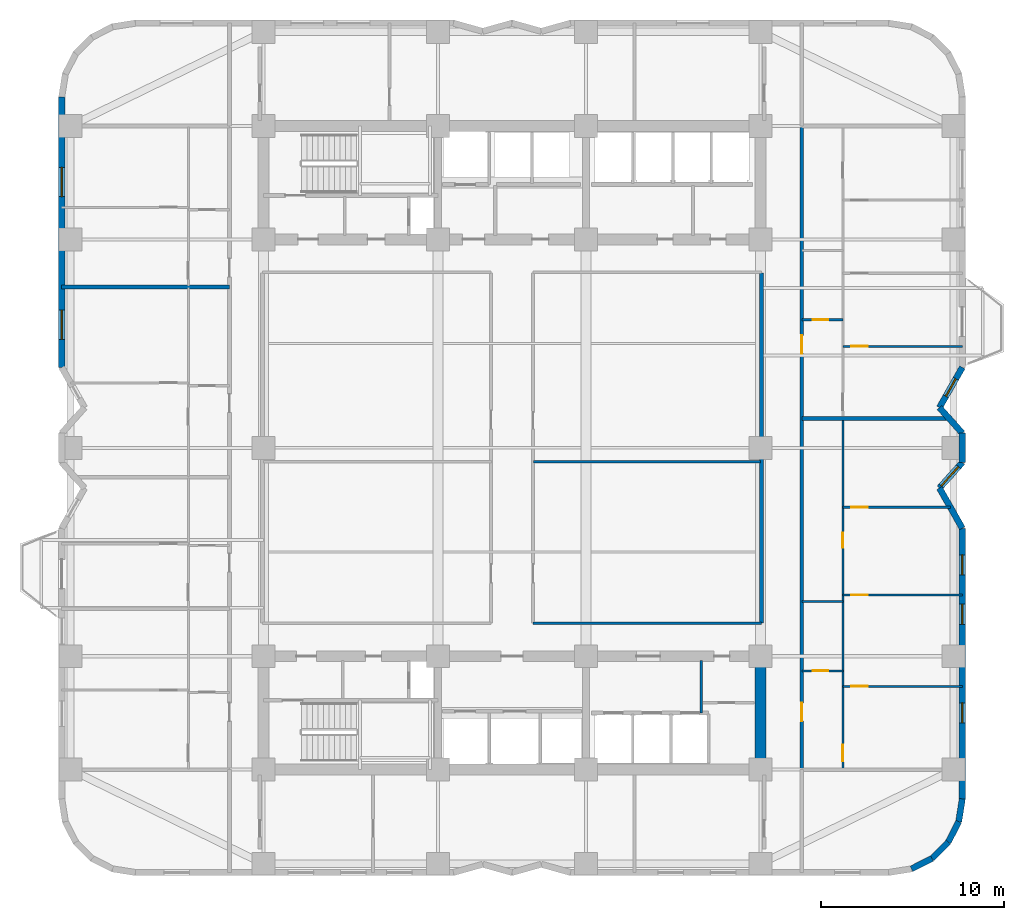
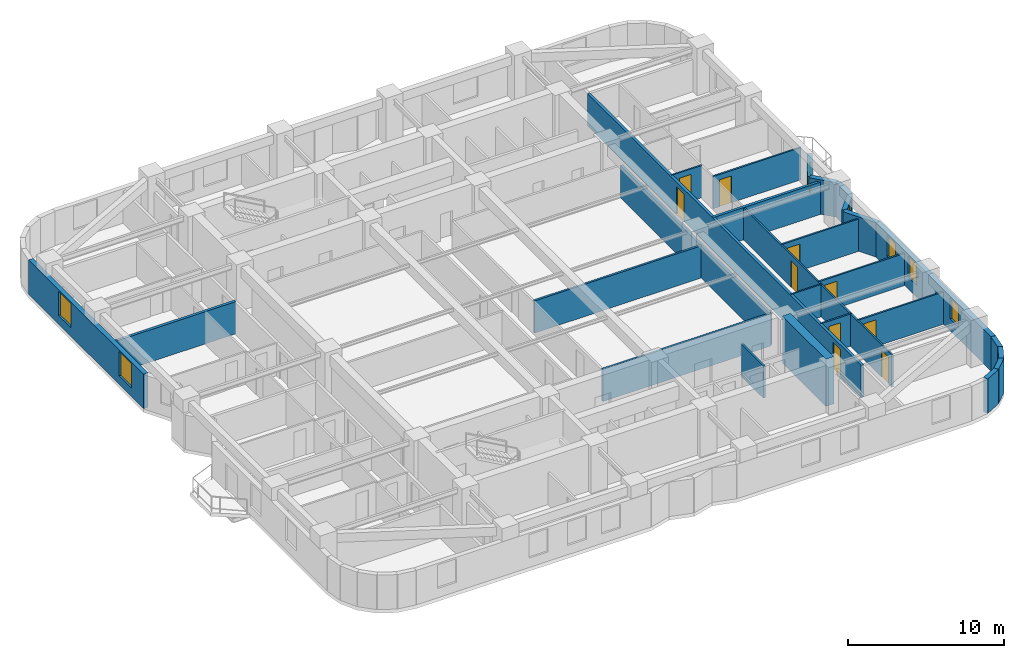
# One storey, part 5 of 9: 27 walls, 10 doors, 7 windows, 17 openings.
"""IFC4 building model written with IfcOpenShell, lengths in metres."""

from ifc_helpers import new_model, si_unit, direction, frame, frame_2d, origin, place, context, subcontext, project, spatial, rectangle, extrude, material, layer, layer_set, type_object, element, fill, save


model = new_model("IFC4")

# Units and contexts
model_context = context("Model", 3, precision=1e-05, world=origin(), true_north=direction((0.0, 1.0)))
body_context = subcontext(model_context, "Body", "Model", "MODEL_VIEW")
ifc_project = project(units=[si_unit("LENGTHUNIT", "METRE"), si_unit("AREAUNIT", "SQUARE_METRE"), si_unit("VOLUMEUNIT", "CUBIC_METRE"), si_unit("PLANEANGLEUNIT", "RADIAN"), si_unit("MASSUNIT", "GRAM", prefix="KILO")], contexts=[model_context])

# Site, building, storey
site_placement = place(None, origin())
site = spatial("IfcSite", under=ifc_project, at=site_placement, CompositionType="ELEMENT")
building_placement = place(site_placement, origin())
building = spatial("IfcBuilding", under=site, at=building_placement, Name="Svetorya Sky Lyceum", CompositionType="ELEMENT")
storey_placement = place(building_placement, frame((0.0, 0.0, 51.0)))
storey = spatial("IfcBuildingStorey", under=building, at=storey_placement, Name="L12", CompositionType="ELEMENT", Elevation=51.0)

# Walls
ifc_material_1 = material(Name="Concrete C60/75", Category="concrete")
ifc_layer_1 = layer(ifc_material_1, 0.60009765625)
ifc_layer_set_1 = layer_set([ifc_layer_1], Name="Concrete C60/75")
wall_type_1 = type_object("IfcWallType", Name="WL-CORE-600", PredefinedType="SHEAR", material=ifc_layer_set_1)
wall_1_placement = place(storey_placement, frame((52.800048828125, 10.89990234375, 0.0), z_axis=(0.0, 0.0, 1.0), x_axis=(0.0, 1.0, 0.0)))
element("IfcWall", 1, at=wall_1_placement, inside=storey, type_object=wall_type_1, Name="L12 SC East Core Shear Wall", PredefinedType="SHEAR", context=body_context, shape_type="SweptSolid", body=[
    extrude(rectangle(XDim=5.60009765625, YDim=0.60009765625, at=frame_2d((2.800048828125, 0.0))), origin(), (0.0, 0.0, 1.0), 3.699951171875),
])
ifc_material_2 = material(Name="Putilovo limestone rainscreen on autoclaved cellular masonry", Category="masonry")
ifc_layer_2 = layer(ifc_material_2, 0.340087890625)
ifc_layer_set_2 = layer_set([ifc_layer_2], Name="Putilovo limestone rainscreen on autoclaved cellular masonry")
wall_type_2 = type_object("IfcWallType", Name="WL-EXT-340", PredefinedType="SOLIDWALL", material=ifc_layer_set_2)
for number, where, z_axis, x_axis, name in (
    (2, (61.04541015625, 5.167236328125, 0.0), (0.0, 0.0, 1.0), (0.890953769915, 0.454094020963, 0.0), "L12 Limestone Exterior Wall 13M"),
    (3, (62.168701171875, 5.73974609375, 0.0), (0.0, 0.0, 1.0), (0.707203598708, 0.707009950407, 0.0), "L12 Limestone Exterior Wall 14M"),
):
    element("IfcWall", number, at=place(storey_placement, frame(where, z_axis=z_axis, x_axis=x_axis)), inside=storey, type_object=wall_type_2, Name=name, PredefinedType="SOLIDWALL", context=body_context, shape_type="SweptSolid", body=[
        extrude(rectangle(XDim=1.2607421875, YDim=0.340087890625, at=frame_2d((0.63037109375, 0.0))), origin(), (0.0, 0.0, 1.0), 2.699951171875),
    ])
for number, where, z_axis, x_axis, name in (
    (4, (63.060302734375, 6.631103515625, 0.0), (0.0, 0.0, 1.0), (0.454015689056, 0.890993689142, 0.0), "L12 Limestone Exterior Wall 15M"),
    (5, (63.6328125, 7.754638671875, 0.0), (0.0, 0.0, 1.0), (0.15644975923, 0.987685918112, 0.0), "L12 Limestone Exterior Wall 16M"),
):
    element("IfcWall", number, at=place(storey_placement, frame(where, z_axis=z_axis, x_axis=x_axis)), inside=storey, type_object=wall_type_2, Name=name, PredefinedType="SOLIDWALL", context=body_context, shape_type="SweptSolid", body=[
        extrude(rectangle(XDim=1.260986328125, YDim=0.340087890625, at=frame_2d((0.63037109375, 0.0))), origin(), (0.0, 0.0, 1.0), 2.699951171875),
    ])

# Wall, openings, windows
wall_2_placement = place(storey_placement, frame((63.830078125, 9.0, 0.0), z_axis=(0.0, 0.0, 1.0), x_axis=(0.0, 1.0, 0.0)))
wall_2 = element("IfcWall", 6, at=wall_2_placement, inside=storey, type_object=wall_type_2, Name="L12 Limestone Exterior Wall 17M", PredefinedType="SOLIDWALL", context=body_context, shape_type="SweptSolid", body=[
    extrude(rectangle(XDim=14.800048828125, YDim=0.340087890625, at=frame_2d((7.39990234375, 0.0))), origin(), (0.0, 0.0, 1.0), 2.699951171875),
])
opening_1_placement = place(wall_2_placement, frame((4.14990234375, 0.0, 0.929931640625)))
opening_1 = element("IfcOpeningElement", 7, at=opening_1_placement, cuts=wall_2, Name="Opening W-R3", PredefinedType="OPENING", context=body_context, shape_type="SweptSolid", body=[
    extrude(rectangle(XDim=1.10009765625, YDim=1.64990234375, at=frame_2d((0.550048828125, 0.824951171875))), frame((0.0, 0.179931640625, 0.0), z_axis=(0.0, -1.0, 0.0), x_axis=(1.0, 0.0, 0.0)), (0.0, 0.0, 1.0), 0.360107421875),
])
opening_2_placement = place(wall_2_placement, frame((9.550048828125, 0.0, 0.929931640625)))
opening_2 = element("IfcOpeningElement", 8, at=opening_2_placement, cuts=wall_2, Name="Opening W-R3", PredefinedType="OPENING", context=body_context, shape_type="SweptSolid", body=[
    extrude(rectangle(XDim=1.10009765625, YDim=1.64990234375, at=frame_2d((0.550048828125, 0.824951171875))), frame((0.0, 0.179931640625, 0.0), z_axis=(0.0, -1.0, 0.0), x_axis=(1.0, 0.0, 0.0)), (0.0, 0.0, 1.0), 0.360107421875),
])
opening_3_placement = place(wall_2_placement, frame((12.25, 0.0, 0.929931640625)))
opening_3 = element("IfcOpeningElement", 9, at=opening_3_placement, cuts=wall_2, Name="Opening W-R3", PredefinedType="OPENING", context=body_context, shape_type="SweptSolid", body=[
    extrude(rectangle(XDim=1.10009765625, YDim=1.64990234375, at=frame_2d((0.550048828125, 0.824951171875))), frame((0.0, 0.179931640625, 0.0), z_axis=(0.0, -1.0, 0.0), x_axis=(1.0, 0.0, 0.0)), (0.0, 0.0, 1.0), 0.360107421875),
])
ifc_material_3 = material(Name="Thermally broken aluminium frame with triple low-E glazing", Category="aluminium")
window_type_1 = type_object("IfcWindowType", Name="WN-RES-110", PartitioningType="SINGLE_PANEL", PredefinedType="WINDOW", material=ifc_material_3)
window_1_placement = place(opening_1_placement, origin())
window_1 = element("IfcWindow", 10, at=window_1_placement, inside=storey, type_object=window_type_1, Name="L12 Facade Window W-R3.17M.1", OverallHeight=1.64990234375, OverallWidth=1.10009765625, PartitioningType="SINGLE_PANEL", PredefinedType="WINDOW", context=body_context, shape_type="SweptSolid", body=[
    extrude(rectangle(XDim=1.10009765625, YDim=1.64990234375, at=frame_2d((0.550048828125, 0.824951171875))), frame((0.0, 0.030029296875, 0.0), z_axis=(0.0, -1.0, 0.0), x_axis=(1.0, 0.0, 0.0)), (0.0, 0.0, 1.0), 0.06005859375),
])
fill(opening_1, window_1)
window_2_placement = place(opening_2_placement, origin())
window_2 = element("IfcWindow", 11, at=window_2_placement, inside=storey, type_object=window_type_1, Name="L12 Facade Window W-R3.17M.2", OverallHeight=1.64990234375, OverallWidth=1.10009765625, PartitioningType="SINGLE_PANEL", PredefinedType="WINDOW", context=body_context, shape_type="SweptSolid", body=[
    extrude(rectangle(XDim=1.10009765625, YDim=1.64990234375, at=frame_2d((0.550048828125, 0.824951171875))), frame((0.0, 0.030029296875, 0.0), z_axis=(0.0, -1.0, 0.0), x_axis=(1.0, 0.0, 0.0)), (0.0, 0.0, 1.0), 0.06005859375),
])
fill(opening_2, window_2)
window_3_placement = place(opening_3_placement, origin())
window_3 = element("IfcWindow", 12, at=window_3_placement, inside=storey, type_object=window_type_1, Name="L12 Facade Window W-R3.17M.3", OverallHeight=1.64990234375, OverallWidth=1.10009765625, PartitioningType="SINGLE_PANEL", PredefinedType="WINDOW", context=body_context, shape_type="SweptSolid", body=[
    extrude(rectangle(XDim=1.10009765625, YDim=1.64990234375, at=frame_2d((0.550048828125, 0.824951171875))), frame((0.0, 0.030029296875, 0.0), z_axis=(0.0, -1.0, 0.0), x_axis=(1.0, 0.0, 0.0)), (0.0, 0.0, 1.0), 0.06005859375),
])
fill(opening_3, window_3)

# Wall
wall_3_placement = place(storey_placement, frame((63.830078125, 23.800048828125, 0.0), z_axis=(0.0, 0.0, 1.0), x_axis=(-0.494017696272, 0.869451847873, 0.0)))
element("IfcWall", 13, at=wall_3_placement, inside=storey, type_object=wall_type_2, Name="L12 Limestone Exterior Wall 18M", PredefinedType="SOLIDWALL", context=body_context, shape_type="SweptSolid", body=[
    extrude(rectangle(XDim=2.5302734375, YDim=0.340087890625, at=frame_2d((1.26513671875, 0.0))), origin(), (0.0, 0.0, 1.0), 2.699951171875),
])

# Wall, opening, window
wall_4_placement = place(storey_placement, frame((62.580078125, 26.0, 0.0), z_axis=(0.0, 0.0, 1.0), x_axis=(0.666041619974, 0.74591457987, 0.0)))
wall_4 = element("IfcWall", 14, at=wall_4_placement, inside=storey, type_object=wall_type_2, Name="L12 Limestone Exterior Wall 19M", PredefinedType="SOLIDWALL", context=body_context, shape_type="SweptSolid", body=[
    extrude(rectangle(XDim=1.876708984375, YDim=0.340087890625, at=frame_2d((0.9384765625, 0.0))), origin(), (0.0, 0.0, 1.0), 2.699951171875),
])
opening_4_placement = place(wall_4_placement, frame((0.159912109375, 0.0, 0.68994140625)))
opening_4 = element("IfcOpeningElement", 15, at=opening_4_placement, cuts=wall_4, Name="Opening W-R2", PredefinedType="OPENING", context=body_context, shape_type="SweptSolid", body=[
    extrude(rectangle(XDim=1.39990234375, YDim=1.85009765625, at=frame_2d((0.699951171875, 0.925048828125))), frame((0.0, 0.179931640625, 0.0), z_axis=(0.0, -1.0, 0.0), x_axis=(1.0, 0.0, 0.0)), (0.0, 0.0, 1.0), 0.360107421875),
])
window_type_2 = type_object("IfcWindowType", Name="WN-RES-140", PartitioningType="SINGLE_PANEL", PredefinedType="WINDOW", material=ifc_material_3)
window_4_placement = place(opening_4_placement, origin())
window_4 = element("IfcWindow", 16, at=window_4_placement, inside=storey, type_object=window_type_2, Name="L12 Facade Window W-R2.19M.1", OverallHeight=1.85009765625, OverallWidth=1.39990234375, PartitioningType="SINGLE_PANEL", PredefinedType="WINDOW", context=body_context, shape_type="SweptSolid", body=[
    extrude(rectangle(XDim=1.39990234375, YDim=1.85009765625, at=frame_2d((0.699951171875, 0.925048828125))), frame((0.0, 0.030029296875, 0.0), z_axis=(0.0, -1.0, 0.0), x_axis=(1.0, 0.0, 0.0)), (0.0, 0.0, 1.0), 0.06005859375),
])
fill(opening_4, window_4)

# Walls
wall_5_placement = place(storey_placement, frame((63.830078125, 27.39990234375, 0.0), z_axis=(0.0, 0.0, 1.0), x_axis=(0.0, 1.0, 0.0)))
element("IfcWall", 17, at=wall_5_placement, inside=storey, type_object=wall_type_2, Name="L12 Limestone Exterior Wall 20M", PredefinedType="SOLIDWALL", context=body_context, shape_type="SweptSolid", body=[
    extrude(rectangle(XDim=1.60009765625, YDim=0.340087890625, at=frame_2d((0.800048828125, 0.0))), origin(), (0.0, 0.0, 1.0), 2.699951171875),
])
wall_6_placement = place(storey_placement, frame((63.830078125, 29.0, 0.0), z_axis=(0.0, 0.0, 1.0), x_axis=(-0.666041619974, 0.74591457987, 0.0)))
element("IfcWall", 18, at=wall_6_placement, inside=storey, type_object=wall_type_2, Name="L12 Limestone Exterior Wall 21M", PredefinedType="SOLIDWALL", context=body_context, shape_type="SweptSolid", body=[
    extrude(rectangle(XDim=1.876708984375, YDim=0.340087890625, at=frame_2d((0.9384765625, 0.0))), origin(), (0.0, 0.0, 1.0), 2.699951171875),
])

# Wall, opening, window
wall_7_placement = place(storey_placement, frame((62.580078125, 30.39990234375, 0.0), z_axis=(0.0, 0.0, 1.0), x_axis=(0.493976255291, 0.869475393101, 0.0)))
wall_7 = element("IfcWall", 19, at=wall_7_placement, inside=storey, type_object=wall_type_2, Name="L12 Limestone Exterior Wall 22M", PredefinedType="SOLIDWALL", context=body_context, shape_type="SweptSolid", body=[
    extrude(rectangle(XDim=2.530517578125, YDim=0.340087890625, at=frame_2d((1.26513671875, 0.0))), origin(), (0.0, 0.0, 1.0), 2.699951171875),
])
opening_5_placement = place(wall_7_placement, frame((0.715087890625, 0.0, 0.889892578125)))
opening_5 = element("IfcOpeningElement", 20, at=opening_5_placement, cuts=wall_7, Name="Opening W-R3", PredefinedType="OPENING", context=body_context, shape_type="SweptSolid", body=[
    extrude(rectangle(XDim=1.10009765625, YDim=1.64990234375, at=frame_2d((0.550048828125, 0.824951171875))), frame((0.0, 0.179931640625, 0.0), z_axis=(0.0, -1.0, 0.0), x_axis=(1.0, 0.0, 0.0)), (0.0, 0.0, 1.0), 0.360107421875),
])
window_5_placement = place(opening_5_placement, origin())
window_5 = element("IfcWindow", 21, at=window_5_placement, inside=storey, type_object=window_type_1, Name="L12 Facade Window W-R3.22M.1", OverallHeight=1.64990234375, OverallWidth=1.10009765625, PartitioningType="SINGLE_PANEL", PredefinedType="WINDOW", context=body_context, shape_type="SweptSolid", body=[
    extrude(rectangle(XDim=1.10009765625, YDim=1.64990234375, at=frame_2d((0.550048828125, 0.824951171875))), frame((0.0, 0.030029296875, 0.0), z_axis=(0.0, -1.0, 0.0), x_axis=(1.0, 0.0, 0.0)), (0.0, 0.0, 1.0), 0.06005859375),
])
fill(opening_5, window_5)

# Wall, openings, windows
wall_8_placement = place(storey_placement, frame((14.570068359375, 47.39990234375, 0.0), z_axis=(0.0, 0.0, 1.0), x_axis=(0.0, -1.0, 0.0)))
wall_8 = element("IfcWall", 22, at=wall_8_placement, inside=storey, type_object=wall_type_2, Name="L12 Limestone Exterior Wall 40M", PredefinedType="SOLIDWALL", context=body_context, shape_type="SweptSolid", body=[
    extrude(rectangle(XDim=14.7998046875, YDim=0.340087890625, at=frame_2d((7.39990234375, 0.0))), origin(), (0.0, 0.0, 1.0), 2.699951171875),
])
opening_6_placement = place(wall_8_placement, frame((3.862548828125, 0.0, 0.679931640625)))
opening_6 = element("IfcOpeningElement", 23, at=opening_6_placement, cuts=wall_8, Name="Opening W-R4", PredefinedType="OPENING", context=body_context, shape_type="SweptSolid", body=[
    extrude(rectangle(XDim=1.60009765625, YDim=1.89990234375, at=frame_2d((0.800048828125, 0.949951171875))), frame((0.0, 0.179931640625, 0.0), z_axis=(0.0, -1.0, 0.0), x_axis=(1.0, 0.0, 0.0)), (0.0, 0.0, 1.0), 0.360107421875),
])
opening_7_placement = place(wall_8_placement, frame((11.66259765625, 0.0, 0.679931640625)))
opening_7 = element("IfcOpeningElement", 24, at=opening_7_placement, cuts=wall_8, Name="Opening W-R4", PredefinedType="OPENING", context=body_context, shape_type="SweptSolid", body=[
    extrude(rectangle(XDim=1.60009765625, YDim=1.89990234375, at=frame_2d((0.800048828125, 0.949951171875))), frame((0.0, 0.179931640625, 0.0), z_axis=(0.0, -1.0, 0.0), x_axis=(1.0, 0.0, 0.0)), (0.0, 0.0, 1.0), 0.360107421875),
])
window_type_3 = type_object("IfcWindowType", Name="WN-RES-160", PartitioningType="DOUBLE_PANEL_VERTICAL", PredefinedType="WINDOW", material=ifc_material_3)
window_6_placement = place(opening_6_placement, origin())
window_6 = element("IfcWindow", 25, at=window_6_placement, inside=storey, type_object=window_type_3, Name="L12 Facade Window W-R4.40M.1", OverallHeight=1.89990234375, OverallWidth=1.60009765625, PartitioningType="SINGLE_PANEL", PredefinedType="WINDOW", context=body_context, shape_type="SweptSolid", body=[
    extrude(rectangle(XDim=1.60009765625, YDim=1.89990234375, at=frame_2d((0.800048828125, 0.949951171875))), frame((0.0, 0.030029296875, 0.0), z_axis=(0.0, -1.0, 0.0), x_axis=(1.0, 0.0, 0.0)), (0.0, 0.0, 1.0), 0.06005859375),
])
fill(opening_6, window_6)
window_7_placement = place(opening_7_placement, origin())
window_7 = element("IfcWindow", 26, at=window_7_placement, inside=storey, type_object=window_type_3, Name="L12 Facade Window W-R4.40M.2", OverallHeight=1.89990234375, OverallWidth=1.60009765625, PartitioningType="SINGLE_PANEL", PredefinedType="WINDOW", context=body_context, shape_type="SweptSolid", body=[
    extrude(rectangle(XDim=1.60009765625, YDim=1.89990234375, at=frame_2d((0.800048828125, 0.949951171875))), frame((0.0, 0.030029296875, 0.0), z_axis=(0.0, -1.0, 0.0), x_axis=(1.0, 0.0, 0.0)), (0.0, 0.0, 1.0), 0.06005859375),
])
fill(opening_7, window_7)

# Wall, opening, door
ifc_material_4 = material(Name="Twin-stud galvanized framing with double fireboard", Category="gypsum")
ifc_layer_3 = layer(ifc_material_4, 0.1201171875)
ifc_layer_set_3 = layer_set([ifc_layer_3], Name="Twin-stud galvanized framing with double fireboard")
wall_type_3 = type_object("IfcWallType", Name="WL-PART-120", PredefinedType="PARTITIONING", material=ifc_layer_set_3)
wall_9_placement = place(storey_placement, frame((55.050048828125, 16.0, 0.0), z_axis=(0.0, 0.0, 1.0), x_axis=(1.0, 0.0, 0.0)))
wall_9 = element("IfcWall", 27, at=wall_9_placement, inside=storey, type_object=wall_type_3, Name="L12 Interior Partition E1-WH1", PredefinedType="PARTITIONING", context=body_context, shape_type="SweptSolid", body=[
    extrude(rectangle(XDim=2.25, YDim=0.1201171875, at=frame_2d((1.125, 0.0))), origin(), (0.0, 0.0, 1.0), 2.530029296875),
])
opening_8_placement = place(wall_9_placement, frame((0.60009765625, 0.0, 0.0)))
opening_8 = element("IfcOpeningElement", 28, at=opening_8_placement, cuts=wall_9, Name="Opening D-BT1", PredefinedType="OPENING", context=body_context, shape_type="SweptSolid", body=[
    extrude(rectangle(XDim=0.85009765625, YDim=2.10009765625, at=frame_2d((0.425048828125, 1.050048828125))), frame((0.0, 0.070068359375, 0.0), z_axis=(0.0, -1.0, 0.0), x_axis=(1.0, 0.0, 0.0)), (0.0, 0.0, 1.0), 0.14013671875),
])
ifc_material_5 = material(Name="Moisture-resistant laminate bathroom door")
door_type_1 = type_object("IfcDoorType", Name="DR-WET-850", OperationType="SINGLE_SWING_LEFT", PredefinedType="DOOR", material=ifc_material_5)
door_1_placement = place(opening_8_placement, origin())
door_1 = element("IfcDoor", 29, at=door_1_placement, inside=storey, type_object=door_type_1, Name="Apartment E1 Bathroom Door", OperationType="SINGLE_SWING_RIGHT", OverallHeight=2.10009765625, OverallWidth=0.85009765625, PredefinedType="DOOR", context=body_context, shape_type="SweptSolid", body=[
    extrude(rectangle(XDim=0.85009765625, YDim=2.10009765625, at=frame_2d((0.425048828125, 1.050048828125))), frame((0.0, 0.02490234375, 0.0), z_axis=(0.0, -1.0, 0.0), x_axis=(1.0, 0.0, 0.0)), (0.0, 0.0, 1.0), 0.050048828125),
])
fill(opening_8, door_1)

# Wall
wall_10_placement = place(storey_placement, frame((55.050048828125, 19.800048828125, 0.0), z_axis=(0.0, 0.0, 1.0), x_axis=(1.0, 0.0, 0.0)))
element("IfcWall", 30, at=wall_10_placement, inside=storey, type_object=wall_type_3, Name="L12 Interior Partition E1-WH2", PredefinedType="PARTITIONING", context=body_context, shape_type="SweptSolid", body=[
    extrude(rectangle(XDim=2.25, YDim=0.1201171875, at=frame_2d((1.125, 0.0))), origin(), (0.0, 0.0, 1.0), 2.530029296875),
])

# Wall, opening, door
wall_11_placement = place(storey_placement, frame((57.300048828125, 15.14990234375, 0.0), z_axis=(0.0, 0.0, 1.0), x_axis=(1.0, 0.0, 0.0)))
wall_11 = element("IfcWall", 31, at=wall_11_placement, inside=storey, type_object=wall_type_3, Name="L12 Interior Partition E1-WL1", PredefinedType="PARTITIONING", context=body_context, shape_type="SweptSolid", body=[
    extrude(rectangle(XDim=6.530029296875, YDim=0.1201171875, at=frame_2d((3.26513671875, 0.0))), origin(), (0.0, 0.0, 1.0), 2.530029296875),
])
opening_9_placement = place(wall_11_placement, frame((0.449951171875, 0.0, 0.0)))
opening_9 = element("IfcOpeningElement", 32, at=opening_9_placement, cuts=wall_11, Name="Opening D-RM1", PredefinedType="OPENING", context=body_context, shape_type="SweptSolid", body=[
    extrude(rectangle(XDim=0.89990234375, YDim=2.10009765625, at=frame_2d((0.449951171875, 1.050048828125))), frame((0.0, 0.070068359375, 0.0), z_axis=(0.0, -1.0, 0.0), x_axis=(1.0, 0.0, 0.0)), (0.0, 0.0, 1.0), 0.14013671875),
])
ifc_material_6 = material(Name="Lacquered birch veneer internal door")
door_type_2 = type_object("IfcDoorType", Name="DR-INT-900", OperationType="SINGLE_SWING_LEFT", PredefinedType="DOOR", material=ifc_material_6)
door_2_placement = place(opening_9_placement, origin())
door_2 = element("IfcDoor", 33, at=door_2_placement, inside=storey, type_object=door_type_2, Name="Apartment E1 Master Bedroom Door", OperationType="SINGLE_SWING_RIGHT", OverallHeight=2.10009765625, OverallWidth=0.89990234375, PredefinedType="DOOR", context=body_context, shape_type="SweptSolid", body=[
    extrude(rectangle(XDim=0.89990234375, YDim=2.10009765625, at=frame_2d((0.449951171875, 1.050048828125))), frame((0.0, 0.02490234375, 0.0), z_axis=(0.0, -1.0, 0.0), x_axis=(1.0, 0.0, 0.0)), (0.0, 0.0, 1.0), 0.050048828125),
])
fill(opening_9, door_2)

wall_12_placement = place(storey_placement, frame((57.300048828125, 20.14990234375, 0.0), z_axis=(0.0, 0.0, 1.0), x_axis=(1.0, 0.0, 0.0)))
wall_12 = element("IfcWall", 34, at=wall_12_placement, inside=storey, type_object=wall_type_3, Name="L12 Interior Partition E1-WL2", PredefinedType="PARTITIONING", context=body_context, shape_type="SweptSolid", body=[
    extrude(rectangle(XDim=6.530029296875, YDim=0.1201171875, at=frame_2d((3.26513671875, 0.0))), origin(), (0.0, 0.0, 1.0), 2.530029296875),
])
opening_10_placement = place(wall_12_placement, frame((0.449951171875, 0.0, 0.0)))
opening_10 = element("IfcOpeningElement", 35, at=opening_10_placement, cuts=wall_12, Name="Opening D-RM1", PredefinedType="OPENING", context=body_context, shape_type="SweptSolid", body=[
    extrude(rectangle(XDim=0.89990234375, YDim=2.10009765625, at=frame_2d((0.449951171875, 1.050048828125))), frame((0.0, 0.070068359375, 0.0), z_axis=(0.0, -1.0, 0.0), x_axis=(1.0, 0.0, 0.0)), (0.0, 0.0, 1.0), 0.14013671875),
])
door_3_placement = place(opening_10_placement, origin())
door_3 = element("IfcDoor", 36, at=door_3_placement, inside=storey, type_object=door_type_2, Name="Apartment E1 Bedroom 2 Door", OperationType="SINGLE_SWING_LEFT", OverallHeight=2.10009765625, OverallWidth=0.89990234375, PredefinedType="DOOR", context=body_context, shape_type="SweptSolid", body=[
    extrude(rectangle(XDim=0.89990234375, YDim=2.10009765625, at=frame_2d((0.449951171875, 1.050048828125))), frame((0.0, 0.02490234375, 0.0), z_axis=(0.0, -1.0, 0.0), x_axis=(1.0, 0.0, 0.0)), (0.0, 0.0, 1.0), 0.050048828125),
])
fill(opening_10, door_3)

wall_13_placement = place(storey_placement, frame((57.300048828125, 24.949951171875, 0.0), z_axis=(0.0, 0.0, 1.0), x_axis=(1.0, 0.0, 0.0)))
wall_13 = element("IfcWall", 37, at=wall_13_placement, inside=storey, type_object=wall_type_3, Name="L12 Interior Partition E1-WL3", PredefinedType="PARTITIONING", context=body_context, shape_type="SweptSolid", body=[
    extrude(rectangle(XDim=5.87646484375, YDim=0.1201171875, at=frame_2d((2.938232421875, 0.0))), origin(), (0.0, 0.0, 1.0), 2.530029296875),
])
opening_11_placement = place(wall_13_placement, frame((0.449951171875, 0.0, 0.0)))
opening_11 = element("IfcOpeningElement", 38, at=opening_11_placement, cuts=wall_13, Name="Opening D-RM1", PredefinedType="OPENING", context=body_context, shape_type="SweptSolid", body=[
    extrude(rectangle(XDim=0.89990234375, YDim=2.10009765625, at=frame_2d((0.449951171875, 1.050048828125))), frame((0.0, 0.070068359375, 0.0), z_axis=(0.0, -1.0, 0.0), x_axis=(1.0, 0.0, 0.0)), (0.0, 0.0, 1.0), 0.14013671875),
])
door_4_placement = place(opening_11_placement, origin())
door_4 = element("IfcDoor", 39, at=door_4_placement, inside=storey, type_object=door_type_2, Name="Apartment E1 Bedroom 3 Door", OperationType="SINGLE_SWING_RIGHT", OverallHeight=2.10009765625, OverallWidth=0.89990234375, PredefinedType="DOOR", context=body_context, shape_type="SweptSolid", body=[
    extrude(rectangle(XDim=0.89990234375, YDim=2.10009765625, at=frame_2d((0.449951171875, 1.050048828125))), frame((0.0, 0.02490234375, 0.0), z_axis=(0.0, -1.0, 0.0), x_axis=(1.0, 0.0, 0.0)), (0.0, 0.0, 1.0), 0.050048828125),
])
fill(opening_11, door_4)

# Wall, openings, doors
wall_14_placement = place(storey_placement, frame((57.300048828125, 10.639892578125, 0.0), z_axis=(0.0, 0.0, 1.0), x_axis=(0.0, 1.0, 0.0)))
wall_14 = element("IfcWall", 40, at=wall_14_placement, inside=storey, type_object=wall_type_3, Name="L12 Interior Partition E1-WV", PredefinedType="PARTITIONING", context=body_context, shape_type="SweptSolid", body=[
    extrude(rectangle(XDim=19.1201171875, YDim=0.1201171875, at=frame_2d((9.56005859375, 0.0))), origin(), (0.0, 0.0, 1.0), 2.530029296875),
])
opening_12_placement = place(wall_14_placement, frame((0.409912109375, 0.0, 0.0)))
opening_12 = element("IfcOpeningElement", 41, at=opening_12_placement, cuts=wall_14, Name="Opening D-RM1", PredefinedType="OPENING", context=body_context, shape_type="SweptSolid", body=[
    extrude(rectangle(XDim=0.89990234375, YDim=2.10009765625, at=frame_2d((0.449951171875, 1.050048828125))), frame((0.0, 0.070068359375, 0.0), z_axis=(0.0, -1.0, 0.0), x_axis=(1.0, 0.0, 0.0)), (0.0, 0.0, 1.0), 0.14013671875),
])
opening_13_placement = place(wall_14_placement, frame((12.10498046875, 0.0, 0.0)))
opening_13 = element("IfcOpeningElement", 42, at=opening_13_placement, cuts=wall_14, Name="Opening D-BT2", PredefinedType="OPENING", context=body_context, shape_type="SweptSolid", body=[
    extrude(rectangle(XDim=0.820068359375, YDim=2.080078125, at=frame_2d((0.41015625, 1.0400390625))), frame((0.0, 0.070068359375, 0.0), z_axis=(0.0, -1.0, 0.0), x_axis=(1.0, 0.0, 0.0)), (0.0, 0.0, 1.0), 0.14013671875),
])
door_5_placement = place(opening_12_placement, origin())
door_5 = element("IfcDoor", 43, at=door_5_placement, inside=storey, type_object=door_type_2, Name="Apartment E1 Living Door", OperationType="SINGLE_SWING_LEFT", OverallHeight=2.10009765625, OverallWidth=0.89990234375, PredefinedType="DOOR", context=body_context, shape_type="SweptSolid", body=[
    extrude(rectangle(XDim=0.89990234375, YDim=2.10009765625, at=frame_2d((0.449951171875, 1.050048828125))), frame((0.0, 0.02490234375, 0.0), z_axis=(0.0, -1.0, 0.0), x_axis=(1.0, 0.0, 0.0)), (0.0, 0.0, 1.0), 0.050048828125),
])
fill(opening_12, door_5)
ifc_material_7 = material(Name="Compact moisture-resistant laminate closet door")
door_type_3 = type_object("IfcDoorType", Name="DR-WET-820", OperationType="SINGLE_SWING_LEFT", PredefinedType="DOOR", material=ifc_material_7)
door_6_placement = place(opening_13_placement, origin())
door_6 = element("IfcDoor", 44, at=door_6_placement, inside=storey, type_object=door_type_3, Name="Apartment E1 Study Door", OperationType="SINGLE_SWING_RIGHT", OverallHeight=2.080078125, OverallWidth=0.820068359375, PredefinedType="DOOR", context=body_context, shape_type="SweptSolid", body=[
    extrude(rectangle(XDim=0.820068359375, YDim=2.080078125, at=frame_2d((0.41015625, 1.0400390625))), frame((0.0, 0.02490234375, 0.0), z_axis=(0.0, -1.0, 0.0), x_axis=(1.0, 0.0, 0.0)), (0.0, 0.0, 1.0), 0.050048828125),
])
fill(opening_13, door_6)

# Wall, opening, door
wall_15_placement = place(storey_placement, frame((55.050048828125, 35.199951171875, 0.0), z_axis=(0.0, 0.0, 1.0), x_axis=(1.0, 0.0, 0.0)))
wall_15 = element("IfcWall", 45, at=wall_15_placement, inside=storey, type_object=wall_type_3, Name="L12 Interior Partition E2-WH1", PredefinedType="PARTITIONING", context=body_context, shape_type="SweptSolid", body=[
    extrude(rectangle(XDim=2.25, YDim=0.1201171875, at=frame_2d((1.125, 0.0))), origin(), (0.0, 0.0, 1.0), 2.530029296875),
])
opening_14_placement = place(wall_15_placement, frame((0.60009765625, 0.0, 0.0)))
opening_14 = element("IfcOpeningElement", 46, at=opening_14_placement, cuts=wall_15, Name="Opening D-BT1", PredefinedType="OPENING", context=body_context, shape_type="SweptSolid", body=[
    extrude(rectangle(XDim=0.85009765625, YDim=2.10009765625, at=frame_2d((0.425048828125, 1.050048828125))), frame((0.0, 0.070068359375, 0.0), z_axis=(0.0, -1.0, 0.0), x_axis=(1.0, 0.0, 0.0)), (0.0, 0.0, 1.0), 0.14013671875),
])
door_7_placement = place(opening_14_placement, origin())
door_7 = element("IfcDoor", 47, at=door_7_placement, inside=storey, type_object=door_type_1, Name="Apartment E2 Bathroom Door", OperationType="SINGLE_SWING_LEFT", OverallHeight=2.10009765625, OverallWidth=0.85009765625, PredefinedType="DOOR", context=body_context, shape_type="SweptSolid", body=[
    extrude(rectangle(XDim=0.85009765625, YDim=2.10009765625, at=frame_2d((0.425048828125, 1.050048828125))), frame((0.0, 0.02490234375, 0.0), z_axis=(0.0, -1.0, 0.0), x_axis=(1.0, 0.0, 0.0)), (0.0, 0.0, 1.0), 0.050048828125),
])
fill(opening_14, door_7)

wall_16_placement = place(storey_placement, frame((57.300048828125, 33.75, 0.0), z_axis=(0.0, 0.0, 1.0), x_axis=(1.0, 0.0, 0.0)))
wall_16 = element("IfcWall", 48, at=wall_16_placement, inside=storey, type_object=wall_type_3, Name="L12 Interior Partition E2-WL1", PredefinedType="PARTITIONING", context=body_context, shape_type="SweptSolid", body=[
    extrude(rectangle(XDim=6.530029296875, YDim=0.1201171875, at=frame_2d((3.26513671875, 0.0))), origin(), (0.0, 0.0, 1.0), 2.530029296875),
])
opening_15_placement = place(wall_16_placement, frame((0.449951171875, 0.0, 0.0)))
opening_15 = element("IfcOpeningElement", 49, at=opening_15_placement, cuts=wall_16, Name="Opening D-RM1", PredefinedType="OPENING", context=body_context, shape_type="SweptSolid", body=[
    extrude(rectangle(XDim=0.89990234375, YDim=2.10009765625, at=frame_2d((0.449951171875, 1.050048828125))), frame((0.0, 0.070068359375, 0.0), z_axis=(0.0, -1.0, 0.0), x_axis=(1.0, 0.0, 0.0)), (0.0, 0.0, 1.0), 0.14013671875),
])
door_8_placement = place(opening_15_placement, origin())
door_8 = element("IfcDoor", 50, at=door_8_placement, inside=storey, type_object=door_type_2, Name="Apartment E2 Master Bedroom Door", OperationType="SINGLE_SWING_LEFT", OverallHeight=2.10009765625, OverallWidth=0.89990234375, PredefinedType="DOOR", context=body_context, shape_type="SweptSolid", body=[
    extrude(rectangle(XDim=0.89990234375, YDim=2.10009765625, at=frame_2d((0.449951171875, 1.050048828125))), frame((0.0, 0.02490234375, 0.0), z_axis=(0.0, -1.0, 0.0), x_axis=(1.0, 0.0, 0.0)), (0.0, 0.0, 1.0), 0.050048828125),
])
fill(opening_15, door_8)

# Walls
ifc_material_8 = material(Name="Autoclaved cellular masonry blockwork with acoustic render", Category="masonry")
ifc_layer_4 = layer(ifc_material_8, 0.14990234375)
ifc_layer_set_4 = layer_set([ifc_layer_4], Name="Autoclaved cellular masonry blockwork with acoustic render")
wall_type_4 = type_object("IfcWallType", Name="WL-PART-150", PredefinedType="PARTITIONING", material=ifc_layer_set_4)
wall_17_placement = place(storey_placement, frame((49.550048828125, 13.699951171875, 0.0), z_axis=(0.0, 0.0, 1.0), x_axis=(0.0, 1.0, 0.0)))
element("IfcWall", 51, at=wall_17_placement, inside=storey, type_object=wall_type_4, Name="L12 Interior Partition SC-AUX-V", PredefinedType="PARTITIONING", context=body_context, shape_type="SweptSolid", body=[
    extrude(rectangle(XDim=2.880126953125, YDim=0.14990234375, at=frame_2d((1.43994140625, 0.0))), origin(), (0.0, 0.0, 1.0), 2.530029296875),
])
wall_18_placement = place(storey_placement, frame((40.35009765625, 18.60009765625, 0.0), z_axis=(0.0, 0.0, 1.0), x_axis=(1.0, 0.0, 0.0)))
element("IfcWall", 52, at=wall_18_placement, inside=storey, type_object=wall_type_4, Name="L12 Interior Partition CS-MID-E", PredefinedType="PARTITIONING", context=body_context, shape_type="SweptSolid", body=[
    extrude(rectangle(XDim=12.5, YDim=0.14990234375, at=frame_2d((6.25, 0.0))), origin(), (0.0, 0.0, 1.0), 2.530029296875),
])
wall_19_placement = place(storey_placement, frame((40.3798828125, 27.434326171875, 0.0), z_axis=(0.0, 0.0, 1.0), x_axis=(1.0, 0.0, 0.0)))
element("IfcWall", 53, at=wall_19_placement, inside=storey, type_object=wall_type_4, Name="L12 Interior Partition CEN-HE", PredefinedType="PARTITIONING", context=body_context, shape_type="SweptSolid", body=[
    extrude(rectangle(XDim=12.420166015625, YDim=0.14990234375, at=frame_2d((6.2099609375, 0.0))), origin(), (0.0, 0.0, 1.0), 2.530029296875),
])
ifc_material_9 = material(Name="Autoclaved cellular masonry blockwork with gypsum plaster", Category="masonry")
ifc_layer_5 = layer(ifc_material_9, 0.199951171875)
ifc_layer_set_5 = layer_set([ifc_layer_5], Name="Autoclaved cellular masonry blockwork with gypsum plaster")
wall_type_5 = type_object("IfcWallType", Name="WL-PART-200", PredefinedType="PARTITIONING", material=ifc_layer_set_5)
wall_20_placement = place(storey_placement, frame((52.85009765625, 18.6298828125, 0.0), z_axis=(0.0, 0.0, 1.0), x_axis=(0.0, 1.0, 0.0)))
element("IfcWall", 54, at=wall_20_placement, inside=storey, type_object=wall_type_5, Name="L12 Interior Partition E-CEN-SEP", PredefinedType="PARTITIONING", context=body_context, shape_type="SweptSolid", body=[
    extrude(rectangle(XDim=19.14013671875, YDim=0.199951171875, at=frame_2d((9.570068359375, 0.0))), origin(), (0.0, 0.0, 1.0), 2.530029296875),
])
wall_21_placement = place(storey_placement, frame((14.570068359375, 37.0, 0.0), z_axis=(0.0, 0.0, 1.0), x_axis=(1.0, 0.0, 0.0)))
element("IfcWall", 55, at=wall_21_placement, inside=storey, type_object=wall_type_5, Name="L12 Interior Partition W-PARTY-3", PredefinedType="PARTITIONING", context=body_context, shape_type="SweptSolid", body=[
    extrude(rectangle(XDim=9.179931640625, YDim=0.199951171875, at=frame_2d((4.58984375, 0.0))), origin(), (0.0, 0.0, 1.0), 2.530029296875),
])
wall_22_placement = place(storey_placement, frame((55.050048828125, 29.800048828125, 0.0), z_axis=(0.0, 0.0, 1.0), x_axis=(1.0, 0.0, 0.0)))
element("IfcWall", 56, at=wall_22_placement, inside=storey, type_object=wall_type_5, Name="L12 Interior Partition E-PARTY-1", PredefinedType="PARTITIONING", context=body_context, shape_type="SweptSolid", body=[
    extrude(rectangle(XDim=8.065673828125, YDim=0.199951171875, at=frame_2d((4.03271484375, 0.0))), origin(), (0.0, 0.0, 1.0), 2.530029296875),
])

# Wall, openings, doors
wall_23_placement = place(storey_placement, frame((55.050048828125, 10.60009765625, 0.0), z_axis=(0.0, 0.0, 1.0), x_axis=(0.0, 1.0, 0.0)))
wall_23 = element("IfcWall", 57, at=wall_23_placement, inside=storey, type_object=wall_type_5, Name="L12 Interior Partition E-CORRW", PredefinedType="PARTITIONING", context=body_context, shape_type="SweptSolid", body=[
    extrude(rectangle(XDim=35.199951171875, YDim=0.199951171875, at=frame_2d((17.60009765625, 0.0))), origin(), (0.0, 0.0, 1.0), 2.530029296875),
])
opening_16_placement = place(wall_23_placement, frame((2.64990234375, 0.0, 0.0)))
opening_16 = element("IfcOpeningElement", 58, at=opening_16_placement, cuts=wall_23, Name="Opening D-APT1", PredefinedType="OPENING", context=body_context, shape_type="SweptSolid", body=[
    extrude(rectangle(XDim=1.0, YDim=2.14990234375, at=frame_2d((0.5, 1.074951171875))), frame((0.0, 0.10986328125, 0.0), z_axis=(0.0, -1.0, 0.0), x_axis=(1.0, 0.0, 0.0)), (0.0, 0.0, 1.0), 0.219970703125),
])
opening_17_placement = place(wall_23_placement, frame((22.75, 0.0, 0.0)))
opening_17 = element("IfcOpeningElement", 59, at=opening_17_placement, cuts=wall_23, Name="Opening D-APT1", PredefinedType="OPENING", context=body_context, shape_type="SweptSolid", body=[
    extrude(rectangle(XDim=1.0, YDim=2.14990234375, at=frame_2d((0.5, 1.074951171875))), frame((0.0, 0.10986328125, 0.0), z_axis=(0.0, -1.0, 0.0), x_axis=(1.0, 0.0, 0.0)), (0.0, 0.0, 1.0), 0.219970703125),
])
ifc_material_10 = material(Name="Insulated oak-veneered apartment entrance door")
door_type_4 = type_object("IfcDoorType", Name="DR-APT-1000", OperationType="SINGLE_SWING_LEFT", PredefinedType="DOOR", material=ifc_material_10)
door_9_placement = place(opening_16_placement, origin())
door_9 = element("IfcDoor", 60, at=door_9_placement, inside=storey, type_object=door_type_4, Name="L12 Apartment E1 Entrance Door", OperationType="SINGLE_SWING_RIGHT", OverallHeight=2.14990234375, OverallWidth=1.0, PredefinedType="DOOR", context=body_context, shape_type="SweptSolid", body=[
    extrude(rectangle(XDim=1.0, YDim=2.14990234375, at=frame_2d((0.5, 1.074951171875))), frame((0.0, 0.02490234375, 0.0), z_axis=(0.0, -1.0, 0.0), x_axis=(1.0, 0.0, 0.0)), (0.0, 0.0, 1.0), 0.050048828125),
])
fill(opening_16, door_9)
door_10_placement = place(opening_17_placement, origin())
door_10 = element("IfcDoor", 61, at=door_10_placement, inside=storey, type_object=door_type_4, Name="L12 Apartment E2 Entrance Door", OperationType="SINGLE_SWING_LEFT", OverallHeight=2.14990234375, OverallWidth=1.0, PredefinedType="DOOR", context=body_context, shape_type="SweptSolid", body=[
    extrude(rectangle(XDim=1.0, YDim=2.14990234375, at=frame_2d((0.5, 1.074951171875))), frame((0.0, 0.02490234375, 0.0), z_axis=(0.0, -1.0, 0.0), x_axis=(1.0, 0.0, 0.0)), (0.0, 0.0, 1.0), 0.050048828125),
])
fill(opening_17, door_10)

save(model, "model.ifc")
